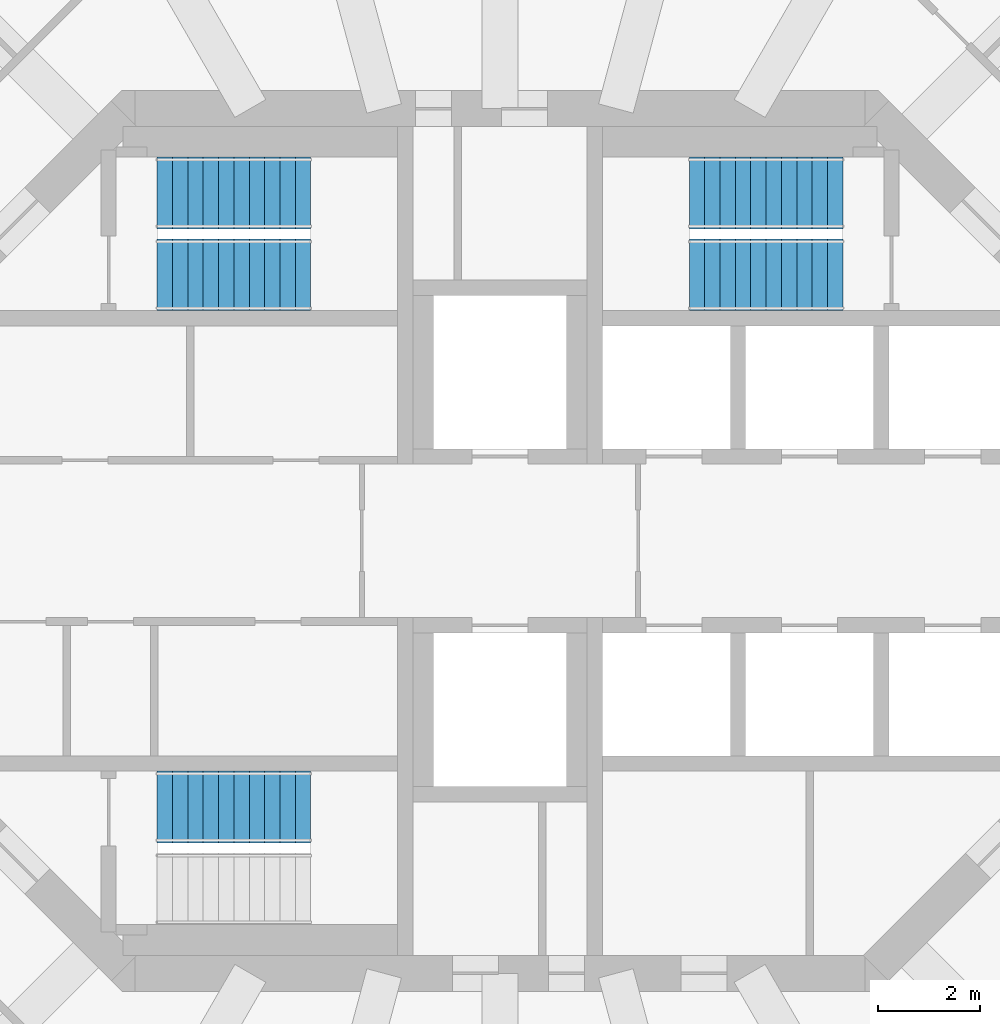
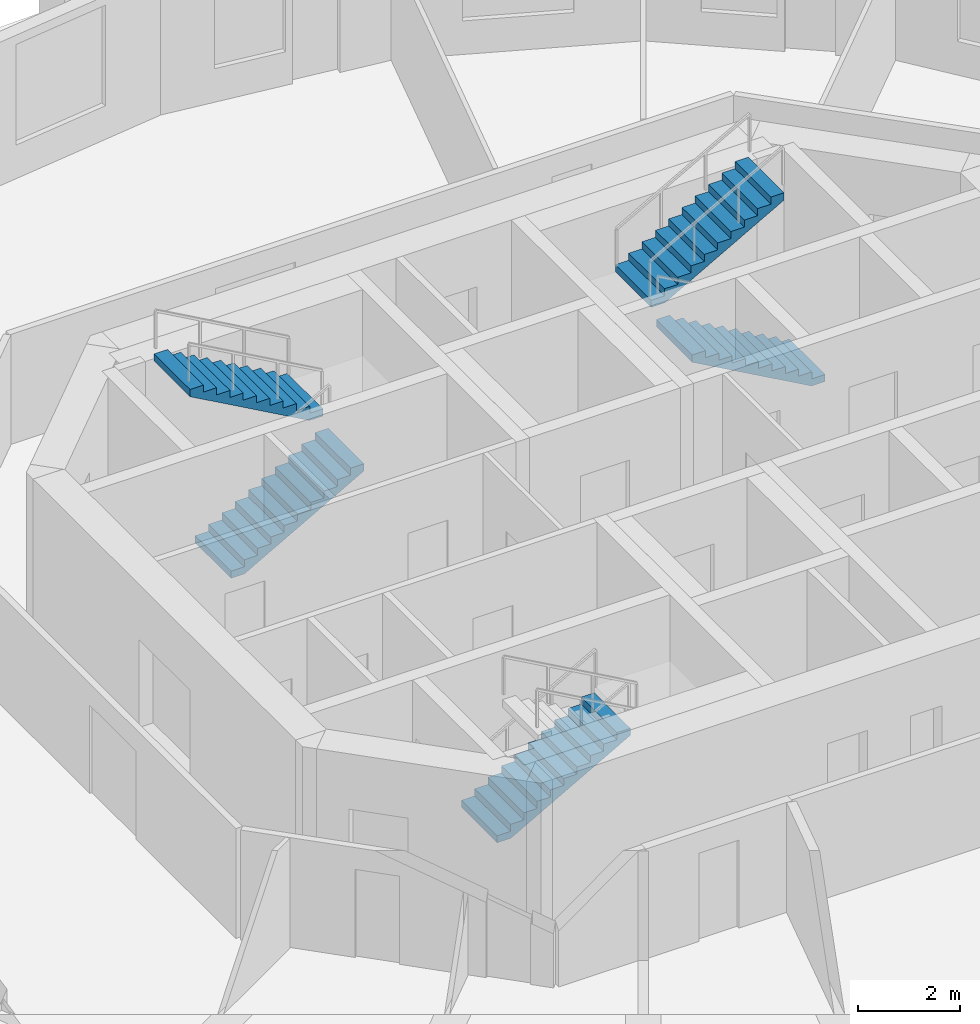
# One storey, part 7 of 9: 5 stair flights, 3 elements without a shape of their own.
"""IFC4 building model written with IfcOpenShell, lengths in metres."""

from ifc_helpers import new_model, si_unit, direction, frame, origin, place, context, subcontext, project, spatial, polyline, outline, extrude, material, type_object, element, aggregate, save


model = new_model("IFC4")

# Units and contexts
model_context = context("Model", 3, precision=1e-05, world=origin(), true_north=direction((0.0, 1.0)))
body_context = subcontext(model_context, "Body", "Model", "MODEL_VIEW")
ifc_project = project(units=[si_unit("LENGTHUNIT", "METRE"), si_unit("AREAUNIT", "SQUARE_METRE"), si_unit("VOLUMEUNIT", "CUBIC_METRE"), si_unit("PLANEANGLEUNIT", "RADIAN"), si_unit("MASSUNIT", "GRAM", prefix="KILO")], contexts=[model_context])

# Site, building, storey
site_placement = place(None, origin())
site = spatial("IfcSite", under=ifc_project, at=site_placement, CompositionType="ELEMENT")
building_placement = place(site_placement, origin())
building = spatial("IfcBuilding", under=site, at=building_placement, Name="Torre Triforio", CompositionType="ELEMENT")
storey_placement = place(building_placement, frame((0.0, 0.0, 157.89990234375)))
storey = spatial("IfcBuildingStorey", under=building, at=storey_placement, Name="L35", CompositionType="ELEMENT", Elevation=157.89990234375)

# Stair, stair flights
ifc_material = material(Name="Concrete C40", Category="concrete")
stair_type = type_object("IfcStairType", Name="STAIR HALF-TURN", PredefinedType="HALF_TURN_STAIR", material=ifc_material)
stair_1_placement = place(storey_placement, origin())
stair_1 = element("IfcStair", 1, at=stair_1_placement, inside=storey, type_object=stair_type, Name="Exit stair 1", PredefinedType="HALF_TURN_STAIR")
stair_flight_type = type_object("IfcStairFlightType", Name="STAIR FLIGHT 1400", PredefinedType="STRAIGHT", material=ifc_material)
stair_flight_1_placement = place(storey_placement, frame((-6.699951171875, 5.199951171875, 0.0), z_axis=(0.0, 0.0, 1.0), x_axis=(1.0, 0.0, 0.0)))
stair_flight_1 = element("IfcStairFlight", 2, at=stair_flight_1_placement, type_object=stair_flight_type, Name="ST1 flight 1", NumberOfRisers=11, NumberOfTreads=10, PredefinedType="STRAIGHT", RiserHeight=0.168181818, TreadLength=0.3, context=body_context, shape_type="SweptSolid", body=[
    extrude(outline(polyline([(0.0, 0.0), (0.0, 0.168212890625), (0.300048828125, 0.168212890625), (0.300048828125, 0.33642578125), (0.60009765625, 0.33642578125), (0.60009765625, 0.504638671875), (0.89990234375, 0.504638671875), (0.89990234375, 0.672607421875), (1.199951171875, 0.672607421875), (1.199951171875, 0.8408203125), (1.5, 0.8408203125), (1.5, 1.009033203125), (1.800048828125, 1.009033203125), (1.800048828125, 1.17724609375), (2.10009765625, 1.17724609375), (2.10009765625, 1.345458984375), (2.39990234375, 1.345458984375), (2.39990234375, 1.513671875), (2.699951171875, 1.513671875), (2.699951171875, 1.681884765625), (3.0, 1.681884765625), (3.0, 1.85009765625), (3.0, 1.510009765625), (0.306640625, 0.0), (0.0, 0.0)])), frame((0.0, 0.699951171875, 0.0), z_axis=(0.0, -1.0, 0.0), x_axis=(1.0, 0.0, 0.0)), (0.0, 0.0, 1.0), 1.39990234375),
])
stair_flight_2_placement = place(storey_placement, frame((-3.699951171875, 6.800048828125, 1.85009765625), z_axis=(0.0, 0.0, 1.0), x_axis=(-1.0, 0.0, 0.0)))
stair_flight_2 = element("IfcStairFlight", 3, at=stair_flight_2_placement, type_object=stair_flight_type, Name="ST1 flight 2", NumberOfRisers=11, NumberOfTreads=10, PredefinedType="STRAIGHT", RiserHeight=0.168181818, TreadLength=0.3, context=body_context, shape_type="SweptSolid", body=[
    extrude(outline(polyline([(0.0, 0.0), (0.0, 0.168212890625), (0.300048828125, 0.168212890625), (0.300048828125, 0.33642578125), (0.60009765625, 0.33642578125), (0.60009765625, 0.504638671875), (0.89990234375, 0.504638671875), (0.89990234375, 0.672607421875), (1.199951171875, 0.672607421875), (1.199951171875, 0.8408203125), (1.5, 0.8408203125), (1.5, 1.009033203125), (1.800048828125, 1.009033203125), (1.800048828125, 1.17724609375), (2.10009765625, 1.17724609375), (2.10009765625, 1.345458984375), (2.39990234375, 1.345458984375), (2.39990234375, 1.513671875), (2.699951171875, 1.513671875), (2.699951171875, 1.681884765625), (3.0, 1.681884765625), (3.0, 1.85009765625), (3.0, 1.510009765625), (0.306640625, 0.0), (0.0, 0.0)])), frame((0.0, 0.699951171875, 0.0), z_axis=(0.0, -1.0, 0.0), x_axis=(1.0, 0.0, 0.0)), (0.0, 0.0, 1.0), 1.39990234375),
])
aggregate(stair_1, [stair_flight_1, stair_flight_2])

stair_2_placement = place(storey_placement, origin())
stair_2 = element("IfcStair", 4, at=stair_2_placement, inside=storey, type_object=stair_type, Name="Exit stair 2", PredefinedType="HALF_TURN_STAIR")
stair_flight_3_placement = place(storey_placement, frame((6.699951171875, 5.199951171875, 0.0), z_axis=(0.0, 0.0, 1.0), x_axis=(-1.0, 0.0, 0.0)))
stair_flight_3 = element("IfcStairFlight", 5, at=stair_flight_3_placement, type_object=stair_flight_type, Name="ST2 flight 1", NumberOfRisers=11, NumberOfTreads=10, PredefinedType="STRAIGHT", RiserHeight=0.168181818, TreadLength=0.3, context=body_context, shape_type="SweptSolid", body=[
    extrude(outline(polyline([(0.0, 0.0), (0.0, 0.168212890625), (0.300048828125, 0.168212890625), (0.300048828125, 0.33642578125), (0.60009765625, 0.33642578125), (0.60009765625, 0.504638671875), (0.89990234375, 0.504638671875), (0.89990234375, 0.672607421875), (1.199951171875, 0.672607421875), (1.199951171875, 0.8408203125), (1.5, 0.8408203125), (1.5, 1.009033203125), (1.800048828125, 1.009033203125), (1.800048828125, 1.17724609375), (2.10009765625, 1.17724609375), (2.10009765625, 1.345458984375), (2.39990234375, 1.345458984375), (2.39990234375, 1.513671875), (2.699951171875, 1.513671875), (2.699951171875, 1.681884765625), (3.0, 1.681884765625), (3.0, 1.85009765625), (3.0, 1.510009765625), (0.306640625, 0.0), (0.0, 0.0)])), frame((0.0, 0.699951171875, 0.0), z_axis=(0.0, -1.0, 0.0), x_axis=(1.0, 0.0, 0.0)), (0.0, 0.0, 1.0), 1.39990234375),
])
stair_flight_4_placement = place(storey_placement, frame((3.699951171875, 6.800048828125, 1.85009765625), z_axis=(0.0, 0.0, 1.0), x_axis=(1.0, 0.0, 0.0)))
stair_flight_4 = element("IfcStairFlight", 6, at=stair_flight_4_placement, type_object=stair_flight_type, Name="ST2 flight 2", NumberOfRisers=11, NumberOfTreads=10, PredefinedType="STRAIGHT", RiserHeight=0.168181818, TreadLength=0.3, context=body_context, shape_type="SweptSolid", body=[
    extrude(outline(polyline([(0.0, 0.0), (0.0, 0.168212890625), (0.300048828125, 0.168212890625), (0.300048828125, 0.33642578125), (0.60009765625, 0.33642578125), (0.60009765625, 0.504638671875), (0.89990234375, 0.504638671875), (0.89990234375, 0.672607421875), (1.199951171875, 0.672607421875), (1.199951171875, 0.8408203125), (1.5, 0.8408203125), (1.5, 1.009033203125), (1.800048828125, 1.009033203125), (1.800048828125, 1.17724609375), (2.10009765625, 1.17724609375), (2.10009765625, 1.345458984375), (2.39990234375, 1.345458984375), (2.39990234375, 1.513671875), (2.699951171875, 1.513671875), (2.699951171875, 1.681884765625), (3.0, 1.681884765625), (3.0, 1.85009765625), (3.0, 1.510009765625), (0.306640625, 0.0), (0.0, 0.0)])), frame((0.0, 0.699951171875, 0.0), z_axis=(0.0, -1.0, 0.0), x_axis=(1.0, 0.0, 0.0)), (0.0, 0.0, 1.0), 1.39990234375),
])
aggregate(stair_2, [stair_flight_3, stair_flight_4])

# Stair, stair flight
stair_3_placement = place(storey_placement, origin())
stair_3 = element("IfcStair", 7, at=stair_3_placement, inside=storey, type_object=stair_type, Name="Exit stair 3", PredefinedType="HALF_TURN_STAIR")
stair_flight_5_placement = place(storey_placement, frame((-6.699951171875, -5.199951171875, 0.0), z_axis=(0.0, 0.0, 1.0), x_axis=(1.0, 0.0, 0.0)))
stair_flight_5 = element("IfcStairFlight", 8, at=stair_flight_5_placement, type_object=stair_flight_type, Name="ST3 flight 1", NumberOfRisers=11, NumberOfTreads=10, PredefinedType="STRAIGHT", RiserHeight=0.168181818, TreadLength=0.3, context=body_context, shape_type="SweptSolid", body=[
    extrude(outline(polyline([(0.0, 0.0), (0.0, 0.168212890625), (0.300048828125, 0.168212890625), (0.300048828125, 0.33642578125), (0.60009765625, 0.33642578125), (0.60009765625, 0.504638671875), (0.89990234375, 0.504638671875), (0.89990234375, 0.672607421875), (1.199951171875, 0.672607421875), (1.199951171875, 0.8408203125), (1.5, 0.8408203125), (1.5, 1.009033203125), (1.800048828125, 1.009033203125), (1.800048828125, 1.17724609375), (2.10009765625, 1.17724609375), (2.10009765625, 1.345458984375), (2.39990234375, 1.345458984375), (2.39990234375, 1.513671875), (2.699951171875, 1.513671875), (2.699951171875, 1.681884765625), (3.0, 1.681884765625), (3.0, 1.85009765625), (3.0, 1.510009765625), (0.306640625, 0.0), (0.0, 0.0)])), frame((0.0, 0.699951171875, 0.0), z_axis=(0.0, -1.0, 0.0), x_axis=(1.0, 0.0, 0.0)), (0.0, 0.0, 1.0), 1.39990234375),
])
aggregate(stair_3, [stair_flight_5])

save(model, "model.ifc")
